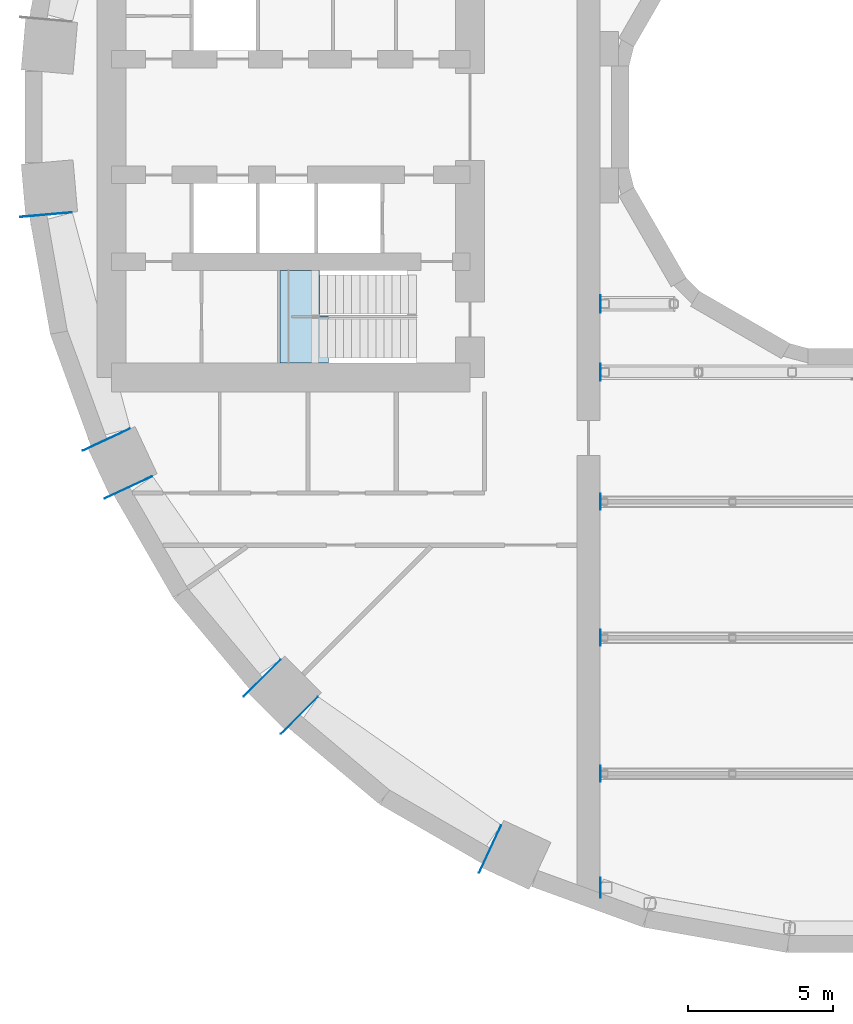
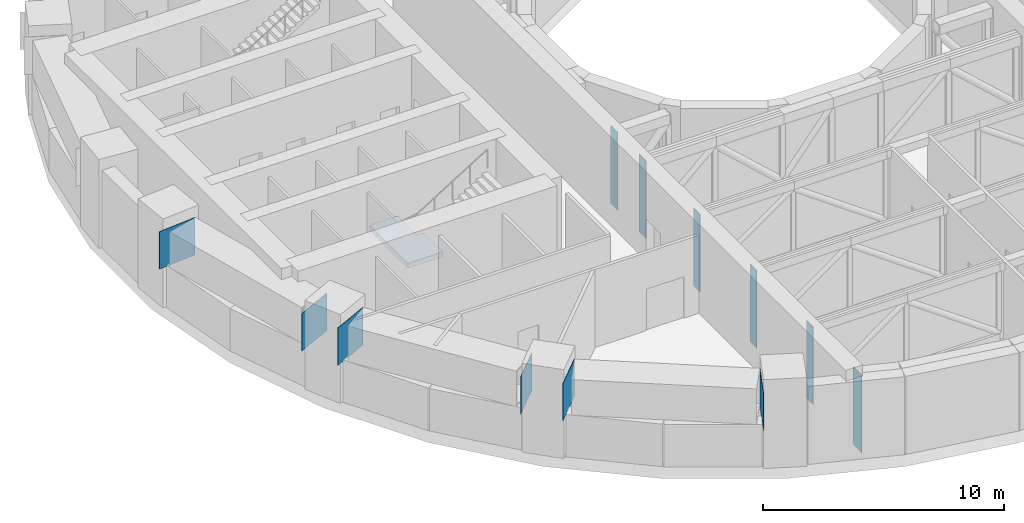
# One storey, part 8 of 21: 12 plates, 1 slab, 1 element without a shape of its own.
"""IFC4 building model written with IfcOpenShell, lengths in metres."""

from ifc_helpers import new_model, si_unit, direction, frame, origin, place, context, subcontext, project, spatial, polyline, outline, extrude, material, layer, layer_set, type_object, element, aggregate, save


model = new_model("IFC4")

# Units and contexts
model_context = context("Model", 3, precision=1e-05, world=origin(), true_north=direction((0.0, 1.0)))
body_context = subcontext(model_context, "Body", "Model", "MODEL_VIEW")
ifc_project = project(units=[si_unit("LENGTHUNIT", "METRE"), si_unit("AREAUNIT", "SQUARE_METRE"), si_unit("VOLUMEUNIT", "CUBIC_METRE"), si_unit("PLANEANGLEUNIT", "RADIAN"), si_unit("MASSUNIT", "GRAM", prefix="KILO")], contexts=[model_context])

# Site, building, storey
site_placement = place(None, origin())
site = spatial("IfcSite", under=ifc_project, at=site_placement, CompositionType="ELEMENT")
building_placement = place(site_placement, origin())
building = spatial("IfcBuilding", under=site, at=building_placement, Name="Saqina Gate Tower", CompositionType="ELEMENT")
storey_placement = place(building_placement, frame((0.0, 0.0, 21.800048828125)))
storey = spatial("IfcBuildingStorey", under=building, at=storey_placement, Name="L05", CompositionType="ELEMENT", Elevation=21.800048828125)

# Stair, slab
ifc_material_1 = material(Name="Concrete C40/50", Category="concrete")
stair_type = type_object("IfcStairType", Name="EXIT STAIR", PredefinedType="HALF_TURN_STAIR", material=ifc_material_1)
stair_placement = place(storey_placement, origin())
stair = element("IfcStair", 1, at=stair_placement, inside=storey, type_object=stair_type, Name="EXIT STAIR 4", PredefinedType="HALF_TURN_STAIR")
ifc_material_2 = material(Name="Concrete C40/50", Category="concrete")
ifc_layer_1 = layer(ifc_material_2, 0.25)
ifc_layer_set_1 = layer_set([ifc_layer_1], Name="Concrete C40/50")
slab_type = type_object("IfcSlabType", Name="EXIT STAIR LANDING", PredefinedType="LANDING", material=ifc_layer_set_1)
slab_placement = place(storey_placement, frame((0.0, 0.0, 2.0)))
slab = element("IfcSlab", 2, at=slab_placement, type_object=slab_type, Name="EXIT STAIR 4 LANDING 1", PredefinedType="LANDING", context=body_context, shape_type="SweptSolid", body=[
    extrude(outline(polyline([(-18.384765625, -6.89990234375), (-18.384765625, -8.5), (-18.705078125, -8.5), (-18.7099609375, -8.5), (-20.06005859375, -8.5), (-20.06005859375, -5.300048828125), (-18.705078125, -5.300048828125), (-18.705078125, -6.89990234375), (-18.384765625, -6.89990234375)])), origin(), (0.0, 0.0, 1.0), 0.25),
])
aggregate(stair, [slab])

# Plates
ifc_material_3 = material(Name="Steel S460", Category="steel")
ifc_layer_2 = layer(ifc_material_3, 0.01806640625)
ifc_layer_set_2 = layer_set([ifc_layer_2], Name="Steel S460")
plate_type = type_object("IfcPlateType", Name="STR-BEARING PLATE", PredefinedType="USERDEFINED", material=ifc_layer_set_2)
plate_1_placement = place(storey_placement, origin())
element("IfcPlate", 3, at=plate_1_placement, inside=storey, type_object=plate_type, Name="BEARING PLATE L05 03", ObjectType="EMBED PLATE", PredefinedType="USERDEFINED", context=body_context, shape_type="SweptSolid", body=[
    extrude(outline(polyline([(-8.98193359375, -26.996337890625), (-8.98193359375, -26.296142578125), (-9.0, -26.296142578125), (-9.0, -26.996337890625), (-8.98193359375, -26.996337890625)])), origin(), (0.0, 0.0, 1.0), 3.949951171875),
])
plate_2_placement = place(storey_placement, origin())
element("IfcPlate", 4, at=plate_2_placement, inside=storey, type_object=plate_type, Name="BEARING PLATE L05 07", ObjectType="EMBED PLATE", PredefinedType="USERDEFINED", context=body_context, shape_type="SweptSolid", body=[
    extrude(outline(polyline([(-8.98193359375, -9.12109375), (-8.98193359375, -8.52099609375), (-9.0, -8.52099609375), (-9.0, -9.12109375), (-8.98193359375, -9.12109375)])), origin(), (0.0, 0.0, 1.0), 3.949951171875),
])
plate_3_placement = place(storey_placement, origin())
element("IfcPlate", 5, at=plate_3_placement, inside=storey, type_object=plate_type, Name="BEARING PLATE L05 11", ObjectType="EMBED PLATE", PredefinedType="USERDEFINED", context=body_context, shape_type="SweptSolid", body=[
    extrude(outline(polyline([(-8.98193359375, -13.574951171875), (-8.98193359375, -13.02490234375), (-9.0, -13.02490234375), (-9.0, -13.574951171875), (-8.98193359375, -13.574951171875)])), origin(), (0.0, 0.0, 1.0), 3.949951171875),
])
plate_4_placement = place(storey_placement, origin())
element("IfcPlate", 6, at=plate_4_placement, inside=storey, type_object=plate_type, Name="BEARING PLATE L05 15", ObjectType="EMBED PLATE", PredefinedType="USERDEFINED", context=body_context, shape_type="SweptSolid", body=[
    extrude(outline(polyline([(-8.98193359375, -18.27490234375), (-8.98193359375, -17.72509765625), (-9.0, -17.72509765625), (-9.0, -18.27490234375), (-8.98193359375, -18.27490234375)])), origin(), (0.0, 0.0, 1.0), 3.949951171875),
])
plate_5_placement = place(storey_placement, origin())
element("IfcPlate", 7, at=plate_5_placement, inside=storey, type_object=plate_type, Name="BEARING PLATE L05 19", ObjectType="EMBED PLATE", PredefinedType="USERDEFINED", context=body_context, shape_type="SweptSolid", body=[
    extrude(outline(polyline([(-8.98193359375, -22.97509765625), (-8.98193359375, -22.425048828125), (-9.0, -22.425048828125), (-9.0, -22.97509765625), (-8.98193359375, -22.97509765625)])), origin(), (0.0, 0.0, 1.0), 3.949951171875),
])
plate_6_placement = place(storey_placement, origin())
element("IfcPlate", 8, at=plate_6_placement, inside=storey, type_object=plate_type, Name="BEARING PLATE L05 23", ObjectType="EMBED PLATE", PredefinedType="USERDEFINED", context=body_context, shape_type="SweptSolid", body=[
    extrude(outline(polyline([(-8.98193359375, -6.757568359375), (-8.98193359375, -6.157470703125), (-9.0, -6.157470703125), (-9.0, -6.757568359375), (-8.98193359375, -6.757568359375)])), origin(), (0.0, 0.0, 1.0), 3.949951171875),
])
plate_7_placement = place(storey_placement, frame((0.0, 0.0, 2.050048828125)))
element("IfcPlate", 9, at=plate_7_placement, inside=storey, type_object=plate_type, Name="BEARING PLATE L05 GIRDER 7 W", ObjectType="EMBED PLATE", PredefinedType="USERDEFINED", context=body_context, shape_type="SweptSolid", body=[
    extrude(outline(polyline([(-29.0556640625, -3.463623046875), (-27.262451171875, -3.306640625), (-27.26416015625, -3.288818359375), (-29.05712890625, -3.445556640625), (-29.0556640625, -3.463623046875)])), origin(), (0.0, 0.0, 1.0), 1.89990234375),
])
plate_8_placement = place(storey_placement, frame((0.0, 0.0, 2.050048828125)))
element("IfcPlate", 10, at=plate_8_placement, inside=storey, type_object=plate_type, Name="BEARING PLATE L05 GIRDER 7 E", ObjectType="EMBED PLATE", PredefinedType="USERDEFINED", context=body_context, shape_type="SweptSolid", body=[
    extrude(outline(polyline([(-25.263427734375, -10.767578125), (-26.894775390625, -11.5283203125), (-26.88720703125, -11.544677734375), (-25.255859375, -10.783935546875), (-25.263427734375, -10.767578125)])), origin(), (0.0, 0.0, 1.0), 1.89990234375),
])
plate_9_placement = place(storey_placement, frame((0.0, 0.0, 2.050048828125)))
element("IfcPlate", 11, at=plate_9_placement, inside=storey, type_object=plate_type, Name="BEARING PLATE L05 GIRDER 8 W", ObjectType="EMBED PLATE", PredefinedType="USERDEFINED", context=body_context, shape_type="SweptSolid", body=[
    extrude(outline(polyline([(-26.118896484375, -13.1923828125), (-24.487548828125, -12.431640625), (-24.4951171875, -12.415283203125), (-26.12646484375, -13.176025390625), (-26.118896484375, -13.1923828125)])), origin(), (0.0, 0.0, 1.0), 1.89990234375),
])
plate_10_placement = place(storey_placement, frame((0.0, 0.0, 2.050048828125)))
element("IfcPlate", 12, at=plate_10_placement, inside=storey, type_object=plate_type, Name="BEARING PLATE L05 GIRDER 8 E", ObjectType="EMBED PLATE", PredefinedType="USERDEFINED", context=body_context, shape_type="SweptSolid", body=[
    extrude(outline(polyline([(-20.05712890625, -18.7587890625), (-21.329833984375, -20.031494140625), (-21.317138671875, -20.04443359375), (-20.04443359375, -18.771484375), (-20.05712890625, -18.7587890625)])), origin(), (0.0, 0.0, 1.0), 1.89990234375),
])
plate_11_placement = place(storey_placement, frame((0.0, 0.0, 2.050048828125)))
element("IfcPlate", 13, at=plate_11_placement, inside=storey, type_object=plate_type, Name="BEARING PLATE L05 GIRDER 9 W", ObjectType="EMBED PLATE", PredefinedType="USERDEFINED", context=body_context, shape_type="SweptSolid", body=[
    extrude(outline(polyline([(-20.031494140625, -21.329833984375), (-18.7587890625, -20.05712890625), (-18.771484375, -20.04443359375), (-20.04443359375, -21.317138671875), (-20.031494140625, -21.329833984375)])), origin(), (0.0, 0.0, 1.0), 1.89990234375),
])
plate_12_placement = place(storey_placement, frame((0.0, 0.0, 2.050048828125)))
element("IfcPlate", 14, at=plate_12_placement, inside=storey, type_object=plate_type, Name="BEARING PLATE L05 GIRDER 9 E", ObjectType="EMBED PLATE", PredefinedType="USERDEFINED", context=body_context, shape_type="SweptSolid", body=[
    extrude(outline(polyline([(-12.431640625, -24.487548828125), (-13.1923828125, -26.118896484375), (-13.176025390625, -26.12646484375), (-12.415283203125, -24.4951171875), (-12.431640625, -24.487548828125)])), origin(), (0.0, 0.0, 1.0), 1.89990234375),
])

save(model, "model.ifc")
